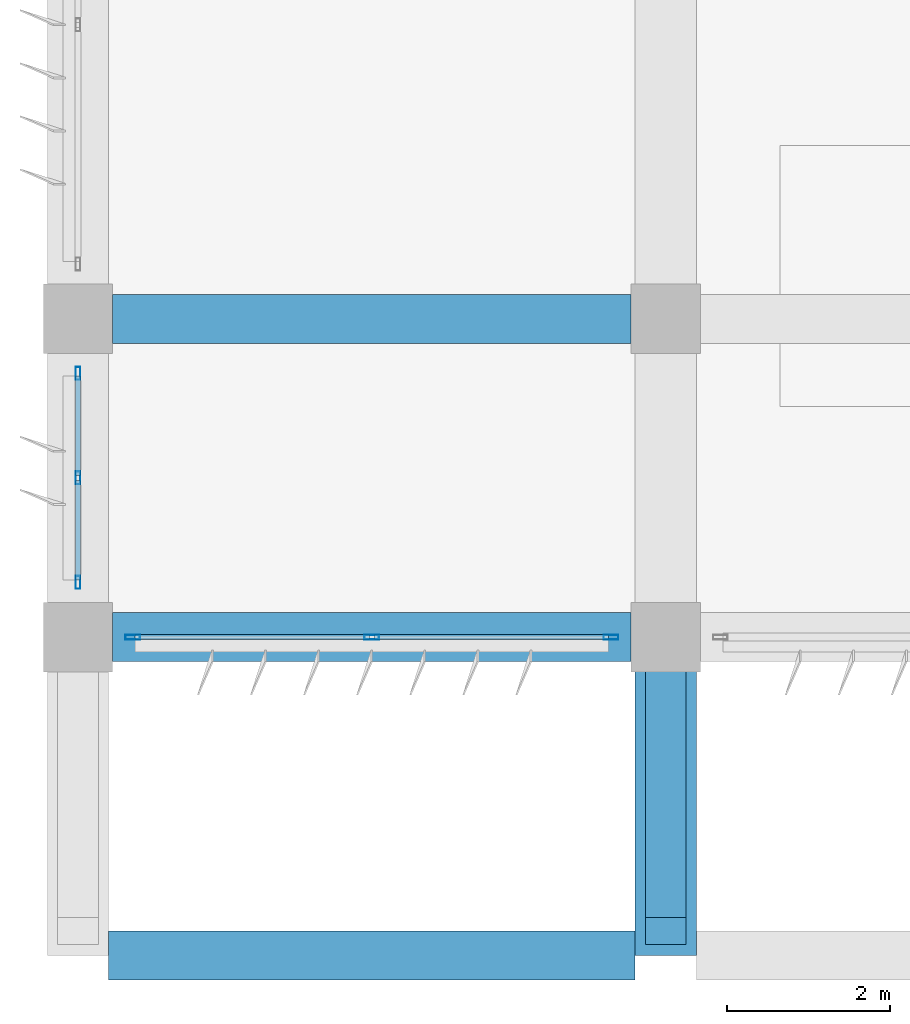
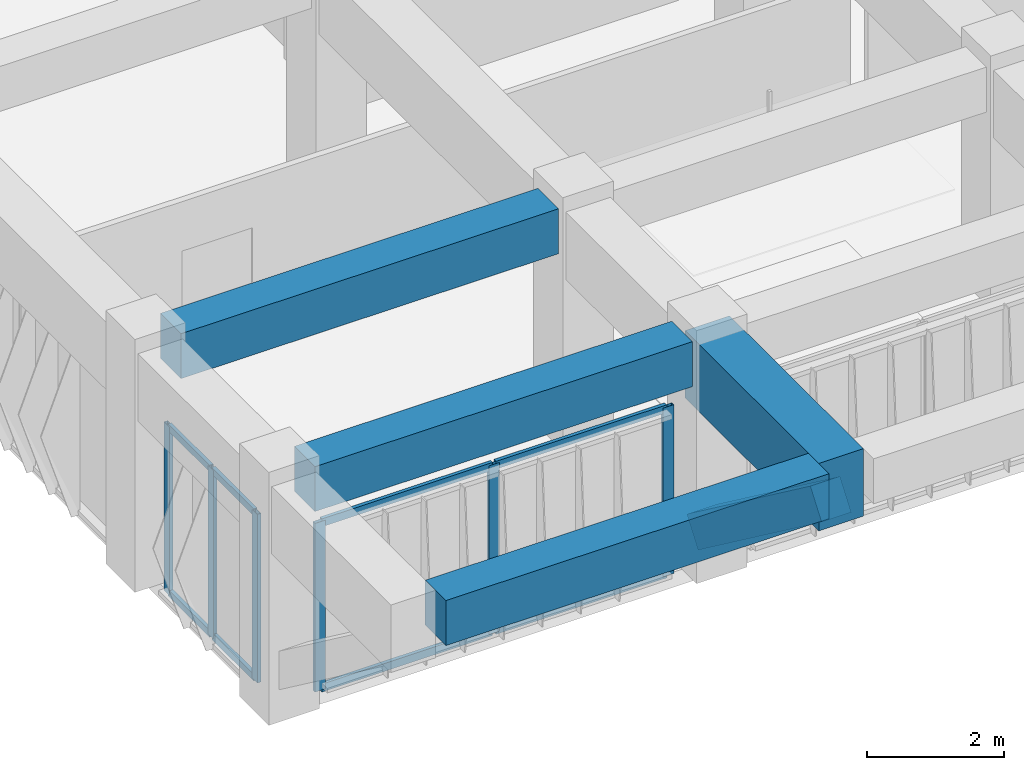
# One storey, part 2 of 56: 15 members, 4 beams, 2 elements without a shape of their own.
"""IFC4 building model written with IfcOpenShell, lengths in metres."""

from ifc_helpers import new_model, si_unit, direction, frame, origin, origin_2d, place, context, subcontext, project, spatial, rectangle, hollow_rectangle, extrude, material, material_profile, profile_set, type_object, element, aggregate, save


model = new_model("IFC4")

# Units and contexts
model_context = context("Model", 3, precision=1e-05, world=origin(), true_north=direction((0.0, 1.0)))
body_context = subcontext(model_context, "Body", "Model", "MODEL_VIEW")
ifc_project = project(units=[si_unit("LENGTHUNIT", "METRE"), si_unit("AREAUNIT", "SQUARE_METRE"), si_unit("VOLUMEUNIT", "CUBIC_METRE"), si_unit("PLANEANGLEUNIT", "RADIAN"), si_unit("MASSUNIT", "GRAM", prefix="KILO")], contexts=[model_context])

# Site, building, storey
site_placement = place(None, origin())
site = spatial("IfcSite", under=ifc_project, at=site_placement, CompositionType="ELEMENT")
building_placement = place(site_placement, origin())
building = spatial("IfcBuilding", under=site, at=building_placement, Name="Kazehaya Institute of Natural Sciences", CompositionType="ELEMENT")
storey_placement = place(building_placement, frame((0.0, 0.0, 24.300048828125)))
storey = spatial("IfcBuildingStorey", under=building, at=storey_placement, Name="L05", CompositionType="ELEMENT", Elevation=24.300048828125)

# Beams
ifc_material_1 = material(Name="Concrete Fc36", Category="concrete")
ifc_material_profile_1 = material_profile(ifc_material_1, rectangle(XDim=0.60009765625, YDim=0.800048828125, at=origin_2d()), Name="RC-600x800")
ifc_profile_set_1 = profile_set([ifc_material_profile_1], Name="Concrete Fc36")
beam_type_1 = type_object("IfcBeamType", Name="BM-G-600x800", PredefinedType="BEAM", material=ifc_profile_set_1)
beam_1_placement = place(storey_placement, frame((54.97509765625, 6.199951171875, 3.829833984375), z_axis=(1.0, 0.0, 0.0), x_axis=(0.0, 1.0, 0.0)))
element("IfcBeam", 1, at=beam_1_placement, inside=storey, type_object=beam_type_1, Name="L05 primary X girder BMX-L05-546-62", PredefinedType="BEAM", context=body_context, shape_type="SweptSolid", body=[
    extrude(rectangle(XDim=0.60009765625, YDim=0.800048828125, at=origin_2d()), origin(), (0.0, 0.0, 1.0), 6.449951171875),
])
for number, where, z_axis, x_axis, name in (
    (2, (55.02490234375, 10.10009765625, 3.829833984375), (1.0, 0.0, 0.0), (0.0, 1.0, 0.0), "L05 primary X girder BMX-L05-546-101"),
    (3, (55.02490234375, 14.0, 3.829833984375), (1.0, 0.0, 0.0), (0.0, 1.0, 0.0), "L05 primary X girder BMX-L05-546-140"),
):
    element("IfcBeam", number, at=place(storey_placement, frame(where, z_axis=z_axis, x_axis=x_axis)), inside=storey, type_object=beam_type_1, Name=name, PredefinedType="BEAM", context=body_context, shape_type="SweptSolid", body=[
        extrude(rectangle(XDim=0.60009765625, YDim=0.800048828125, at=origin_2d()), origin(), (0.0, 0.0, 1.0), 6.35009765625),
    ])
ifc_material_2 = material(Name="Concrete Fc42", Category="concrete")
ifc_material_profile_2 = material_profile(ifc_material_2, rectangle(XDim=0.75, YDim=1.199951171875, at=origin_2d()), Name="RC-750x1200")
ifc_profile_set_2 = profile_set([ifc_material_profile_2], Name="Concrete Fc42")
beam_type_2 = type_object("IfcBeamType", Name="BM-TG-750x1200", PredefinedType="BEAM", material=ifc_profile_set_2)
beam_2_placement = place(storey_placement, frame((61.800048828125, 6.199951171875, 3.6298828125), z_axis=(0.0, 1.0, 0.0), x_axis=(-1.0, 0.0, 0.0)))
element("IfcBeam", 4, at=beam_2_placement, inside=storey, type_object=beam_type_2, Name="L05 cantilever transfer girder 1706", PredefinedType="BEAM", context=body_context, shape_type="SweptSolid", body=[
    extrude(rectangle(XDim=0.75, YDim=1.199951171875, at=origin_2d()), origin(), (0.0, 0.0, 1.0), 3.900146484375),
])

# Curtain wall, members
ifc_material_3 = material(Name="Aluminium alloy A6063S-T5", Category="aluminium")
curtain_wall_type_1 = type_object("IfcCurtainWallType", Name="CW-SYS-08", PredefinedType="NOTDEFINED", material=ifc_material_3)
curtain_wall_1_placement = place(storey_placement, origin())
curtain_wall_1 = element("IfcCurtainWall", 5, at=curtain_wall_1_placement, inside=storey, type_object=curtain_wall_type_1, Name="L05 unitised curtain wall CW-L05-112", PredefinedType="NOTDEFINED")
ifc_material_profile_3 = material_profile(ifc_material_3, hollow_rectangle(XDim=0.06005859375, YDim=0.159912109375, WallThickness=0.00390625, at=origin_2d()), Name="ALU-60x160x4")
ifc_profile_set_3 = profile_set([ifc_material_profile_3], Name="Aluminium alloy A6063S-T5")
member_type_1 = type_object("IfcMemberType", Name="CWM-160", PredefinedType="MULLION", material=ifc_profile_set_3)
member_1_placement = place(storey_placement, frame((54.60009765625, 10.77001953125, 0.0), z_axis=(0.0, 0.0, 1.0), x_axis=(-1.0, 0.0, 0.0)))
member_1 = element("IfcMember", 6, at=member_1_placement, type_object=member_type_1, Name="CW08 mullion 1", PredefinedType="MULLION", context=body_context, shape_type="SweptSolid", body=[
    extrude(hollow_rectangle(XDim=0.06005859375, YDim=0.159912109375, WallThickness=0.00390625, at=origin_2d()), origin(), (0.0, 0.0, 1.0), 3.0),
])
member_2_placement = place(storey_placement, frame((54.60009765625, 12.050048828125, 0.0), z_axis=(0.0, 0.0, 1.0), x_axis=(-1.0, 0.0, 0.0)))
member_2 = element("IfcMember", 7, at=member_2_placement, type_object=member_type_1, Name="CW08 mullion 2", PredefinedType="MULLION", context=body_context, shape_type="SweptSolid", body=[
    extrude(hollow_rectangle(XDim=0.06005859375, YDim=0.159912109375, WallThickness=0.00390625, at=origin_2d()), origin(), (0.0, 0.0, 1.0), 3.0),
])
member_3_placement = place(storey_placement, frame((54.60009765625, 13.330078125, 0.0), z_axis=(0.0, 0.0, 1.0), x_axis=(-1.0, 0.0, 0.0)))
member_3 = element("IfcMember", 8, at=member_3_placement, type_object=member_type_1, Name="CW08 mullion 3", PredefinedType="MULLION", context=body_context, shape_type="SweptSolid", body=[
    extrude(hollow_rectangle(XDim=0.06005859375, YDim=0.159912109375, WallThickness=0.00390625, at=origin_2d()), origin(), (0.0, 0.0, 1.0), 3.0),
])

curtain_wall_type_2 = type_object("IfcCurtainWallType", Name="CW-SYS-04", PredefinedType="NOTDEFINED", material=ifc_material_3)
curtain_wall_2_placement = place(storey_placement, origin())
curtain_wall_2 = element("IfcCurtainWall", 9, at=curtain_wall_2_placement, inside=storey, type_object=curtain_wall_type_2, Name="L05 unitised curtain wall CW-L05-102", PredefinedType="NOTDEFINED")
ifc_material_profile_4 = material_profile(ifc_material_3, hollow_rectangle(XDim=0.06005859375, YDim=0.179931640625, WallThickness=0.00390625, at=origin_2d()), Name="ALU-60x180x4")
ifc_profile_set_4 = profile_set([ifc_material_profile_4], Name="Aluminium alloy A6063S-T5")
member_type_2 = type_object("IfcMemberType", Name="CWM-180", PredefinedType="MULLION", material=ifc_profile_set_4)
member_4_placement = place(storey_placement, frame((61.1298828125, 10.10009765625, 0.0), z_axis=(0.0, 0.0, 1.0), x_axis=(0.0, -1.0, 0.0)))
member_4 = element("IfcMember", 10, at=member_4_placement, type_object=member_type_2, Name="CW04 mullion 1", PredefinedType="MULLION", context=body_context, shape_type="SweptSolid", body=[
    extrude(hollow_rectangle(XDim=0.06005859375, YDim=0.179931640625, WallThickness=0.00390625, at=origin_2d()), origin(), (0.0, 0.0, 1.0), 3.0),
])
member_5_placement = place(storey_placement, frame((58.199951171875, 10.10009765625, 0.0), z_axis=(0.0, 0.0, 1.0), x_axis=(0.0, -1.0, 0.0)))
member_5 = element("IfcMember", 11, at=member_5_placement, type_object=member_type_2, Name="CW04 mullion 2", PredefinedType="MULLION", context=body_context, shape_type="SweptSolid", body=[
    extrude(hollow_rectangle(XDim=0.06005859375, YDim=0.179931640625, WallThickness=0.00390625, at=origin_2d()), origin(), (0.0, 0.0, 1.0), 3.0),
])
member_6_placement = place(storey_placement, frame((55.27001953125, 10.10009765625, 0.0), z_axis=(0.0, 0.0, 1.0), x_axis=(0.0, -1.0, 0.0)))
member_6 = element("IfcMember", 12, at=member_6_placement, type_object=member_type_2, Name="CW04 mullion 3", PredefinedType="MULLION", context=body_context, shape_type="SweptSolid", body=[
    extrude(hollow_rectangle(XDim=0.06005859375, YDim=0.179931640625, WallThickness=0.00390625, at=origin_2d()), origin(), (0.0, 0.0, 1.0), 3.0),
])

# Member
ifc_material_profile_5 = material_profile(ifc_material_3, hollow_rectangle(XDim=0.06005859375, YDim=0.1201171875, WallThickness=0.00341796875, at=origin_2d()), Name="ALU-60x120x3.5")
ifc_profile_set_5 = profile_set([ifc_material_profile_5], Name="Aluminium alloy A6063S-T5")
member_type_3 = type_object("IfcMemberType", Name="CWT-120", PredefinedType="USERDEFINED", material=ifc_profile_set_5)
member_7_placement = place(storey_placement, frame((54.60009765625, 10.800048828125, 0.030029296875), z_axis=(0.0, 1.0, 0.0), x_axis=(-1.0, 0.0, 0.0)))
member_7 = element("IfcMember", 13, at=member_7_placement, type_object=member_type_3, Name="CW08 transom 1.1", ObjectType="TRANSOM", PredefinedType="USERDEFINED", context=body_context, shape_type="SweptSolid", body=[
    extrude(hollow_rectangle(XDim=0.06005859375, YDim=0.1201171875, WallThickness=0.00341796875, at=origin_2d()), origin(), (0.0, 0.0, 1.0), 1.219970703125),
])

member_8_placement = place(storey_placement, frame((54.60009765625, 10.800048828125, 2.969970703125), z_axis=(0.0, 1.0, 0.0), x_axis=(-1.0, 0.0, 0.0)))
member_8 = element("IfcMember", 14, at=member_8_placement, type_object=member_type_3, Name="CW08 transom 1.2", ObjectType="TRANSOM", PredefinedType="USERDEFINED", context=body_context, shape_type="SweptSolid", body=[
    extrude(hollow_rectangle(XDim=0.06005859375, YDim=0.1201171875, WallThickness=0.00341796875, at=origin_2d()), origin(), (0.0, 0.0, 1.0), 1.219970703125),
])

member_9_placement = place(storey_placement, frame((54.60009765625, 12.080078125, 0.030029296875), z_axis=(0.0, 1.0, 0.0), x_axis=(-1.0, 0.0, 0.0)))
member_9 = element("IfcMember", 15, at=member_9_placement, type_object=member_type_3, Name="CW08 transom 2.1", ObjectType="TRANSOM", PredefinedType="USERDEFINED", context=body_context, shape_type="SweptSolid", body=[
    extrude(hollow_rectangle(XDim=0.06005859375, YDim=0.1201171875, WallThickness=0.00341796875, at=origin_2d()), origin(), (0.0, 0.0, 1.0), 1.219970703125),
])

member_10_placement = place(storey_placement, frame((54.60009765625, 12.080078125, 2.969970703125), z_axis=(0.0, 1.0, 0.0), x_axis=(-1.0, 0.0, 0.0)))
member_10 = element("IfcMember", 16, at=member_10_placement, type_object=member_type_3, Name="CW08 transom 2.2", ObjectType="TRANSOM", PredefinedType="USERDEFINED", context=body_context, shape_type="SweptSolid", body=[
    extrude(hollow_rectangle(XDim=0.06005859375, YDim=0.1201171875, WallThickness=0.00341796875, at=origin_2d()), origin(), (0.0, 0.0, 1.0), 1.219970703125),
])

aggregate(curtain_wall_1, [member_1, member_2, member_3, member_7, member_8, member_9, member_10])

ifc_material_profile_6 = material_profile(ifc_material_3, hollow_rectangle(XDim=0.06005859375, YDim=0.139892578125, WallThickness=0.00341796875, at=origin_2d()), Name="ALU-60x140x3.5")
ifc_profile_set_6 = profile_set([ifc_material_profile_6], Name="Aluminium alloy A6063S-T5")
member_type_4 = type_object("IfcMemberType", Name="CWT-140", PredefinedType="USERDEFINED", material=ifc_profile_set_6)
member_11_placement = place(storey_placement, frame((61.10009765625, 10.10009765625, 0.030029296875), z_axis=(-1.0, 0.0, 0.0), x_axis=(0.0, -1.0, 0.0)))
member_11 = element("IfcMember", 17, at=member_11_placement, type_object=member_type_4, Name="CW04 transom 1.1", ObjectType="TRANSOM", PredefinedType="USERDEFINED", context=body_context, shape_type="SweptSolid", body=[
    extrude(hollow_rectangle(XDim=0.06005859375, YDim=0.139892578125, WallThickness=0.00341796875, at=origin_2d()), origin(), (0.0, 0.0, 1.0), 2.8701171875),
])

member_12_placement = place(storey_placement, frame((61.10009765625, 10.10009765625, 2.969970703125), z_axis=(-1.0, 0.0, 0.0), x_axis=(0.0, -1.0, 0.0)))
member_12 = element("IfcMember", 18, at=member_12_placement, type_object=member_type_4, Name="CW04 transom 1.2", ObjectType="TRANSOM", PredefinedType="USERDEFINED", context=body_context, shape_type="SweptSolid", body=[
    extrude(hollow_rectangle(XDim=0.06005859375, YDim=0.139892578125, WallThickness=0.00341796875, at=origin_2d()), origin(), (0.0, 0.0, 1.0), 2.8701171875),
])

member_13_placement = place(storey_placement, frame((58.169921875, 10.10009765625, 0.030029296875), z_axis=(-1.0, 0.0, 0.0), x_axis=(0.0, -1.0, 0.0)))
member_13 = element("IfcMember", 19, at=member_13_placement, type_object=member_type_4, Name="CW04 transom 2.1", ObjectType="TRANSOM", PredefinedType="USERDEFINED", context=body_context, shape_type="SweptSolid", body=[
    extrude(hollow_rectangle(XDim=0.06005859375, YDim=0.139892578125, WallThickness=0.00341796875, at=origin_2d()), origin(), (0.0, 0.0, 1.0), 2.869873046875),
])

member_14_placement = place(storey_placement, frame((58.169921875, 10.10009765625, 2.969970703125), z_axis=(-1.0, 0.0, 0.0), x_axis=(0.0, -1.0, 0.0)))
member_14 = element("IfcMember", 20, at=member_14_placement, type_object=member_type_4, Name="CW04 transom 2.2", ObjectType="TRANSOM", PredefinedType="USERDEFINED", context=body_context, shape_type="SweptSolid", body=[
    extrude(hollow_rectangle(XDim=0.06005859375, YDim=0.139892578125, WallThickness=0.00341796875, at=origin_2d()), origin(), (0.0, 0.0, 1.0), 2.869873046875),
])

aggregate(curtain_wall_2, [member_4, member_5, member_6, member_11, member_12, member_13, member_14])

ifc_material_profile_7 = material_profile(ifc_material_2, rectangle(XDim=0.5, YDim=0.550048828125, at=origin_2d()), Name="RC-500x550")
ifc_profile_set_7 = profile_set([ifc_material_profile_7], Name="Concrete Fc42")
member_type_5 = type_object("IfcMemberType", Name="MEM-STRUT-RC500", PredefinedType="BRACE", material=ifc_profile_set_7)
member_15_placement = place(storey_placement, frame((61.800048828125, 10.10009765625, 0.599853515625), z_axis=(0.0, -0.802122938841, 0.597158932768), x_axis=(1.0, 0.0, 0.0)))
element("IfcMember", 21, at=member_15_placement, inside=storey, type_object=member_type_5, Name="L05 raked cantilever strut 012", PredefinedType="BRACE", context=body_context, shape_type="SweptSolid", body=[
    extrude(rectangle(XDim=0.5, YDim=0.550048828125, at=origin_2d()), origin(), (0.0, 0.0, 1.0), 4.48828125),
])

save(model, "model.ifc")
